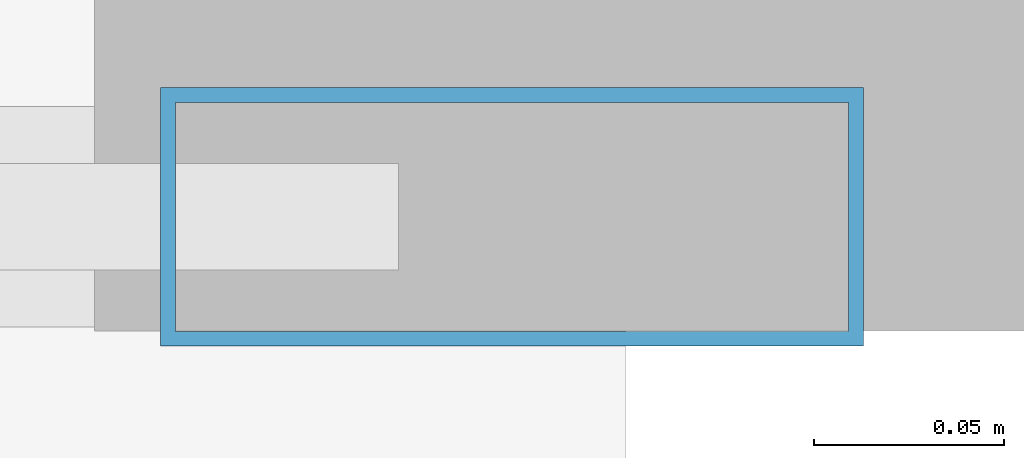
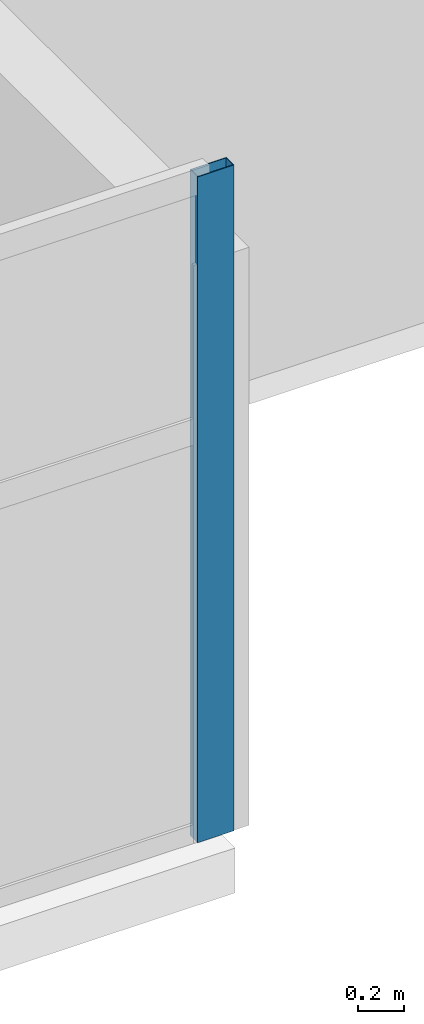
# One storey, part 15 of 30: 1 member, 1 element without a shape of its own.
"""IFC4 building model written with IfcOpenShell, lengths in metres."""

import ifcopenshell
import ifcopenshell.guid

model = None  # the IFC model being written
_history = None  # IfcOwnerHistory: only IFC2X3 demands one
_inside = {}  # id of a spatial element -> (the spatial element, [elements in it])
_under = {}  # id of a project, library or spatial element -> (it, [spatial elements below it])
_declared = {}  # id of a project -> (the project, [libraries it declares])
_typed = {}  # id of a type object -> (the type object, [elements of that type])
_made_of = {}  # id of a material, layer set ... -> (it, [elements and type objects made of it])


def new_model(schema):
    """Start an empty IFC model of exactly this schema.

    Asked for "IFC4X3", IfcOpenShell would pick the latest addendum, in which some entities
    have other attributes; the version numbers below select the first issue.
    IFC2X3 requires an IfcOwnerHistory on every rooted entity: one is made here for all.
    """
    global model, _history
    if schema == "IFC4X3":
        model = ifcopenshell.file(schema_version=(4, 3, 0, 0))
    else:
        model = ifcopenshell.file(schema=schema)
    _inside.clear()
    _under.clear()
    _declared.clear()
    _typed.clear()
    _made_of.clear()
    _history = None
    if model.schema == "IFC2X3":
        org = make("IfcOrganization", Name="unknown")
        user = make(
            "IfcPersonAndOrganization",
            ThePerson=make("IfcPerson", FamilyName="unknown"),
            TheOrganization=org,
        )
        app = make(
            "IfcApplication",
            ApplicationDeveloper=org,
            Version="unknown",
            ApplicationFullName="unknown",
            ApplicationIdentifier="unknown",
        )
        _history = make(
            "IfcOwnerHistory",
            OwningUser=user,
            OwningApplication=app,
            ChangeAction="ADDED",
            CreationDate=0,
        )
    return model


def make(cls, **values):
    """One entity of the class cls with the attributes given. An attribute that is None is left unset."""
    return model.create_entity(
        cls, **{name: value for name, value in values.items() if value is not None}
    )


def rooted(cls, **values):
    """An entity with a GlobalId (a new one), such as an element, a storey or a relation."""
    return make(cls, GlobalId=ifcopenshell.guid.new(), OwnerHistory=_history, **values)


def si_unit(unit_type, name, prefix=None):
    """IfcSIUnit, for example si_unit("LENGTHUNIT", "METRE", prefix="MILLI")."""
    return make("IfcSIUnit", UnitType=unit_type, Prefix=prefix, Name=name)


def assignment(units):
    """IfcUnitAssignment: the units of a project."""
    return None if units is None else make("IfcUnitAssignment", Units=units)


def point(xyz):
    """IfcCartesianPoint."""
    return None if xyz is None else make("IfcCartesianPoint", Coordinates=xyz)


def direction(xyz):
    """IfcDirection."""
    return None if xyz is None else make("IfcDirection", DirectionRatios=xyz)


def frame(location, z_axis=None, x_axis=None):
    """IfcAxis2Placement3D, a coordinate frame: its origin and axes. An axis left out is left unset."""
    return make(
        "IfcAxis2Placement3D",
        Location=point(location),
        Axis=direction(z_axis),
        RefDirection=direction(x_axis),
    )


def frame_2d(location, x_axis=None):
    """IfcAxis2Placement2D, a coordinate frame in the plane: its origin and x axis."""
    return make(
        "IfcAxis2Placement2D", Location=point(location), RefDirection=direction(x_axis)
    )


def origin():
    """The frame at (0, 0, 0) with its axes left unset."""
    return frame((0.0, 0.0, 0.0))


def origin_2d():
    """The frame at (0, 0) in the plane with its x axis left unset."""
    return frame_2d((0.0, 0.0))


def place(relative_to, where):
    """IfcLocalPlacement: puts the frame where relative to a parent placement (None: the world)."""
    return make(
        "IfcLocalPlacement", PlacementRelTo=relative_to, RelativePlacement=where
    )


def context(
    kind, dimensions, precision=None, world=None, true_north=None, identifier=None
):
    """IfcGeometricRepresentationContext, for example the 3D "Model" context."""
    return make(
        "IfcGeometricRepresentationContext",
        ContextIdentifier=identifier,
        ContextType=kind,
        CoordinateSpaceDimension=dimensions,
        Precision=precision,
        WorldCoordinateSystem=world,
        TrueNorth=true_north,
    )


def subcontext(parent, identifier, kind, view, scale=None):
    """IfcGeometricRepresentationSubContext, for example "Body" below "Model"."""
    return make(
        "IfcGeometricRepresentationSubContext",
        ContextIdentifier=identifier,
        ContextType=kind,
        ParentContext=parent,
        TargetScale=scale,
        TargetView=view,
    )


def project(units=None, contexts=None):
    """IfcProject with its units and contexts."""
    return rooted(
        "IfcProject",
        Name="project",
        RepresentationContexts=contexts,
        UnitsInContext=assignment(units),
    )


def spatial(cls, under=None, at=None, **own):
    """A site, building, storey or space (cls), placed at a placement, below another one or the project."""
    s = rooted(cls, ObjectPlacement=at, **own)
    if under is not None:
        _under.setdefault(under.id(), (under, []))[1].append(s)
    return s


def profile(cls, at=None, kind="AREA", **sizes):
    """A parametric profile (cls). Its sizes go by their IFC names, for example OverallWidth=200.0."""
    return make(cls, ProfileType=kind, Position=at, **sizes)


def hollow_rectangle(**sizes):
    """IfcRectangleHollowProfileDef."""
    return profile("IfcRectangleHollowProfileDef", **sizes)


def extrude(swept, where, along, depth):
    """IfcExtrudedAreaSolid: the profile swept, set in the frame where, extruded along a direction by depth."""
    return make(
        "IfcExtrudedAreaSolid",
        SweptArea=swept,
        Position=where,
        ExtrudedDirection=direction(along),
        Depth=depth,
    )


def shape(context_of_items, identifier, shape_type, items):
    """IfcShapeRepresentation: the items that make up one representation, for example the "Body"."""
    return make(
        "IfcShapeRepresentation",
        ContextOfItems=context_of_items,
        RepresentationIdentifier=identifier,
        RepresentationType=shape_type,
        Items=items,
    )


def material(Name=None, Category=None):
    """IfcMaterial."""
    return make("IfcMaterial", Name=Name, Category=Category)


def layer(
    of_material, thickness, ventilated=None, Name=None, Category=None, Priority=None
):
    """IfcMaterialLayer: one layer of a wall or slab, of a material (None: an air gap)."""
    return make(
        "IfcMaterialLayer",
        Material=of_material,
        LayerThickness=thickness,
        IsVentilated=ventilated,
        Name=Name,
        Category=Category,
        Priority=Priority,
    )


def layer_set(layers, Name=None):
    """IfcMaterialLayerSet."""
    return make("IfcMaterialLayerSet", MaterialLayers=layers, LayerSetName=Name)


def material_profile(
    of_material, cross_section, Name=None, Category=None, Priority=None
):
    """IfcMaterialProfile: a cross section and its material."""
    return make(
        "IfcMaterialProfile",
        Name=Name,
        Material=of_material,
        Profile=cross_section,
        Priority=Priority,
        Category=Category,
    )


def profile_set(profiles, Name=None, composite=None):
    """IfcMaterialProfileSet."""
    return make(
        "IfcMaterialProfileSet",
        Name=Name,
        MaterialProfiles=profiles,
        CompositeProfile=composite,
    )


def made_of(thing, what):
    """Note that an element or type object is made of a material, layer set ...; save() writes the relation."""
    if what is not None:
        _made_of.setdefault(what.id(), (what, []))[1].append(thing)
    return thing


def type_object(cls, material=None, **own):
    """A type object (cls), such as IfcWallType, which elements share."""
    return made_of(rooted(cls, **own), material)


def element(
    cls,
    number,
    at=None,
    inside=None,
    cuts=None,
    type_object=None,
    material=None,
    context=None,
    identifier="Body",
    shape_type=None,
    held_by="IfcProductDefinitionShape",
    body=None,
    shapes=None,
    **own,
):
    """One element of the class cls, such as IfcWall. Its Tag is "e" and its number.

    at: its placement. inside: the storey or other place that contains it. cuts: it is an
    opening in that element (IfcRelVoidsElement). A single representation is given by context,
    identifier, shape_type and body (its items); several are given by shapes. held_by: the class
    of the entity that holds the representations. save() writes the other relations.
    """
    e = rooted(cls, Tag="e%d" % number, ObjectPlacement=at, **own)
    if body is not None:
        shapes = [shape(context, identifier, shape_type, body)]
    if shapes is not None:
        e.Representation = make(held_by, Representations=shapes)
    if inside is not None:
        _inside.setdefault(inside.id(), (inside, []))[1].append(e)
    if cuts is not None:
        rooted(
            "IfcRelVoidsElement", RelatingBuildingElement=cuts, RelatedOpeningElement=e
        )
    if type_object is not None:
        _typed.setdefault(type_object.id(), (type_object, []))[1].append(e)
    return made_of(e, material)


def aggregate(whole, parts):
    """IfcRelAggregates: a whole, such as a stair, and the parts it consists of."""
    return rooted("IfcRelAggregates", RelatingObject=whole, RelatedObjects=parts)


def save(model, path):
    """Write the relations noted so far, then the file.

    IfcRelAggregates (storeys below a building ...), IfcRelContainedInSpatialStructure (elements
    in a storey), IfcRelDefinesByType, IfcRelAssociatesMaterial and IfcRelDeclares: one each for
    every whole, place, type object, material and project.
    """
    for whole, parts in _under.values():
        aggregate(whole, parts)
    for where, things in _inside.values():
        rooted(
            "IfcRelContainedInSpatialStructure",
            RelatedElements=things,
            RelatingStructure=where,
        )
    for kind, things in _typed.values():
        rooted("IfcRelDefinesByType", RelatedObjects=things, RelatingType=kind)
    for what, things in _made_of.values():
        rooted("IfcRelAssociatesMaterial", RelatedObjects=things, RelatingMaterial=what)
    for by, libraries in _declared.values():
        rooted("IfcRelDeclares", RelatingContext=by, RelatedDefinitions=libraries)
    model.write(path)


model = new_model("IFC4")

# Units and contexts
model_context = context("Model", 3, precision=1e-05, world=origin(), true_north=direction((0.0, 1.0)))
body_context = subcontext(model_context, "Body", "Model", "MODEL_VIEW")
ifc_project = project(units=[si_unit("LENGTHUNIT", "METRE"), si_unit("AREAUNIT", "SQUARE_METRE"), si_unit("VOLUMEUNIT", "CUBIC_METRE"), si_unit("PLANEANGLEUNIT", "RADIAN"), si_unit("MASSUNIT", "GRAM", prefix="KILO")], contexts=[model_context])

# Site, building, storey
site_placement = place(None, origin())
site = spatial("IfcSite", under=ifc_project, at=site_placement, CompositionType="ELEMENT")
building_placement = place(site_placement, origin())
building = spatial("IfcBuilding", under=site, at=building_placement, Name="Calvorn Quay Hotel", CompositionType="ELEMENT")
storey_placement = place(building_placement, frame((0.0, 0.0, 207.199951171875)))
storey = spatial("IfcBuildingStorey", under=building, at=storey_placement, Name="L51", CompositionType="ELEMENT", Elevation=207.199951171875)

# Curtain wall, member
ifc_material_1 = material(Name="Champagne Bronze Anodised Aluminium and Low-E Glass", Category="aluminium")
ifc_layer = layer(ifc_material_1, 0.219970703125)
ifc_layer_set = layer_set([ifc_layer], Name="CW-SYS-Z3")
curtain_wall_type = type_object("IfcCurtainWallType", Name="CW-SYS-Z3", PredefinedType="NOTDEFINED", material=ifc_layer_set)
curtain_wall_placement = place(storey_placement, origin())
curtain_wall = element("IfcCurtainWall", 1, at=curtain_wall_placement, inside=storey, type_object=curtain_wall_type, Name="Tower South Waterfront Curtain Wall (L51)", PredefinedType="NOTDEFINED")
ifc_material_2 = material(Name="Champagne Bronze Anodised Aluminium 6063-T6", Category="aluminium")
ifc_material_profile = material_profile(ifc_material_2, hollow_rectangle(XDim=0.068115234375, YDim=0.18505859375, WallThickness=0.00390625, at=origin_2d()), Name="ALU-M185x68x4")
ifc_profile_set = profile_set([ifc_material_profile], Name="Champagne Bronze Anodised Aluminium 6063-T6")
member_type = type_object("IfcMemberType", Name="CW-SYS-Z3-MUL", PredefinedType="MULLION", material=ifc_profile_set)
member_placement = place(storey_placement, frame((48.969970703125, 2.550048828125, 0.0), z_axis=(0.0, 0.0, 1.0), x_axis=(0.0, 1.0, 0.0)))
member = element("IfcMember", 2, at=member_placement, type_object=member_type, Name="CW-L51-S mullion 6", PredefinedType="MULLION", context=body_context, shape_type="SweptSolid", body=[
    extrude(hollow_rectangle(XDim=0.068115234375, YDim=0.18505859375, WallThickness=0.00390625, at=origin_2d()), origin(), (0.0, 0.0, 1.0), 3.56005859375),
])
aggregate(curtain_wall, [member])

save(model, "model.ifc")
